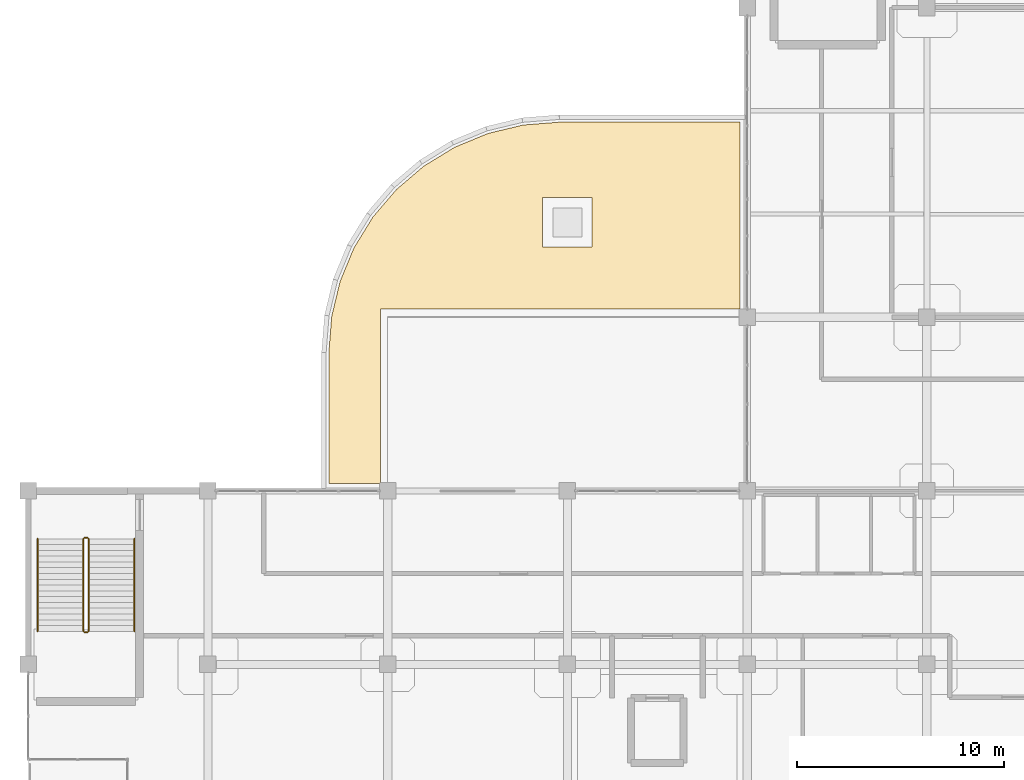
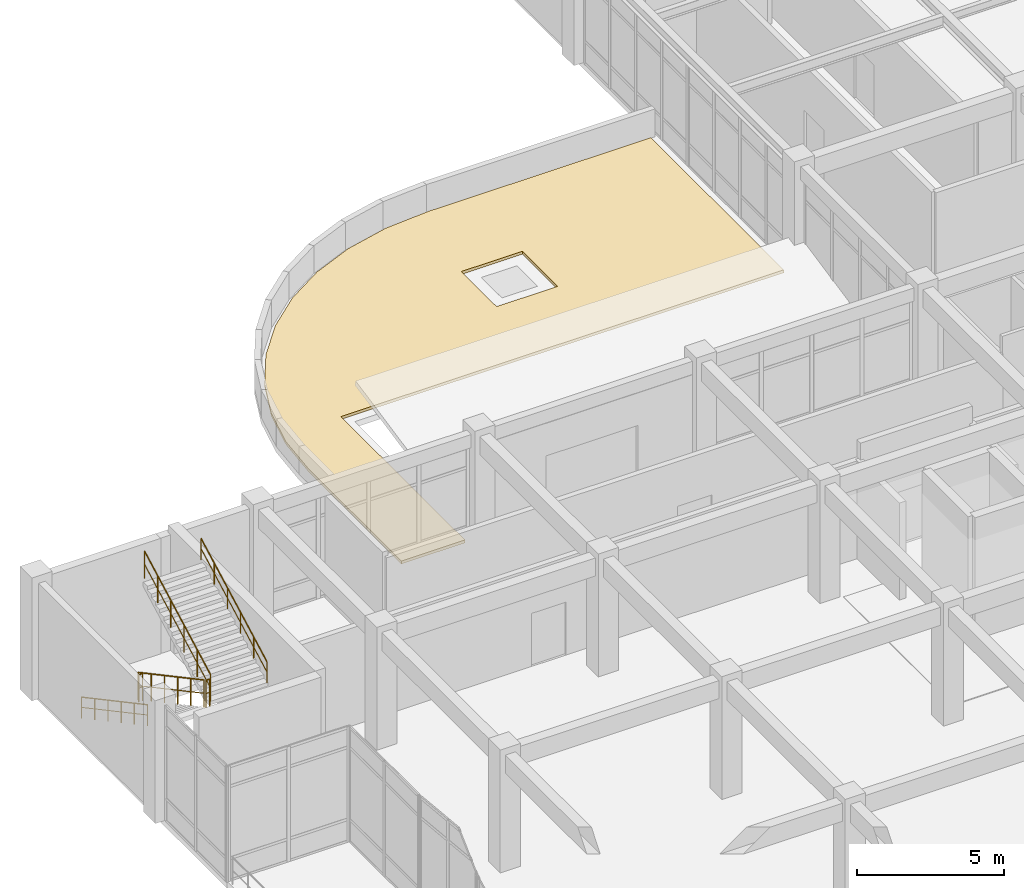
# One storey, part 114 of 124: 6 railings, 1 covering.
"""IFC4 building model written with IfcOpenShell, lengths in metres."""

from ifc_helpers import new_model, si_unit, derived_unit, direction, frame, origin, origin_2d, place, context, subcontext, project, spatial, polyline, circle, outline, extrude, material, layer, layer_set, type_object, element, save


model = new_model("IFC4")

# Units and contexts
model_context = context("Model", 3, precision=1e-05, world=origin(), true_north=direction((0.0, 1.0)))
body_context = subcontext(model_context, "Body", "Model", "MODEL_VIEW")
ifc_project = project(units=[si_unit("LENGTHUNIT", "METRE"), si_unit("AREAUNIT", "SQUARE_METRE"), si_unit("VOLUMEUNIT", "CUBIC_METRE"), si_unit("PLANEANGLEUNIT", "RADIAN"), si_unit("MASSUNIT", "GRAM", prefix="KILO"), derived_unit("THERMALTRANSMITTANCEUNIT", [(si_unit("MASSUNIT", "GRAM", prefix="KILO"), 1), (si_unit("TIMEUNIT", "SECOND"), -3), (si_unit("THERMODYNAMICTEMPERATUREUNIT", "KELVIN"), -1)])], contexts=[model_context])

# Site, building, storey
site_placement = place(None, origin())
site = spatial("IfcSite", under=ifc_project, at=site_placement, CompositionType="ELEMENT")
building_placement = place(site_placement, origin())
building = spatial("IfcBuilding", under=site, at=building_placement, Name="Qinzheling Arcade Emporium", CompositionType="ELEMENT")
storey_placement = place(building_placement, frame((0.0, 0.0, 16.5)))
storey = spatial("IfcBuildingStorey", under=building, at=storey_placement, Name="L04", CompositionType="ELEMENT", Elevation=16.5)

# Railings
ifc_material_1 = material(Name="Galvanised powder-coated tubular steel", Category="steel")
railing_type_1 = type_object("IfcRailingType", Name="Painted Steel Stairwell Guard Railing 1150", PredefinedType="GUARDRAIL", material=ifc_material_1)
railing_1_placement = place(storey_placement, frame((2.669921875, 39.679931640625, 0.14990234375)))
element("IfcRailing", 1, at=railing_1_placement, inside=storey, type_object=railing_type_1, Name="L04 ST02 stair guard 1", PredefinedType="GUARDRAIL", context=body_context, shape_type="SweptSolid", body=[
    extrude(circle(Radius=0.02392578125, at=origin_2d()), frame((0.0, 0.0, 1.1259765625), z_axis=(0.0, -0.881467115574, 0.472245406714), x_axis=(1.0, 0.0, 0.0)), (0.0, 0.0, 1.0), 5.08251953125),
    extrude(circle(Radius=0.01611328125, at=origin_2d()), frame((0.0, 0.0, 0.574951171875), z_axis=(0.0, -0.881467115574, 0.472245406714), x_axis=(1.0, 0.0, 0.0)), (0.0, 0.0, 1.0), 5.08251953125),
    extrude(circle(Radius=0.02099609375, at=origin_2d()), origin(), (0.0, 0.0, 1.0), 1.101806640625),
    extrude(circle(Radius=0.02099609375, at=origin_2d()), frame((0.0, -0.89599609375, 0.47998046875)), (0.0, 0.0, 1.0), 1.101806640625),
    extrude(circle(Radius=0.02099609375, at=origin_2d()), frame((0.0, -1.7919921875, 0.9599609375)), (0.0, 0.0, 1.0), 1.101806640625),
    extrude(circle(Radius=0.02099609375, at=origin_2d()), frame((0.0, -2.68798828125, 1.440185546875)), (0.0, 0.0, 1.0), 1.101806640625),
    extrude(circle(Radius=0.02099609375, at=origin_2d()), frame((0.0, -3.583984375, 1.920166015625)), (0.0, 0.0, 1.0), 1.101806640625),
    extrude(circle(Radius=0.02099609375, at=origin_2d()), frame((0.0, -4.47998046875, 2.400146484375)), (0.0, 0.0, 1.0), 1.101806640625),
])
railing_2_placement = place(storey_placement, frame((2.719970703125, 35.14990234375, 2.550048828125)))
element("IfcRailing", 2, at=railing_2_placement, inside=storey, type_object=railing_type_1, Name="L04 ST02 stair guard 2", PredefinedType="GUARDRAIL", context=body_context, shape_type="SweptSolid", body=[
    extrude(circle(Radius=0.02392578125, at=origin_2d()), frame((0.0, 0.0, 1.1259765625), z_axis=(1.0, 0.0, 0.0), x_axis=(0.0, 1.0, 0.0)), (0.0, 0.0, 1.0), 0.150146484375),
    extrude(circle(Radius=0.01611328125, at=origin_2d()), frame((0.0, 0.0, 0.574951171875), z_axis=(1.0, 0.0, 0.0), x_axis=(0.0, 1.0, 0.0)), (0.0, 0.0, 1.0), 0.150146484375),
    extrude(circle(Radius=0.02099609375, at=origin_2d()), origin(), (0.0, 0.0, 1.0), 1.101806640625),
    extrude(circle(Radius=0.02099609375, at=origin_2d()), frame((0.150146484375, 0.0, 0.0)), (0.0, 0.0, 1.0), 1.101806640625),
])
railing_3_placement = place(storey_placement, frame((2.919921875, 35.199951171875, 2.699951171875)))
element("IfcRailing", 3, at=railing_3_placement, inside=storey, type_object=railing_type_1, Name="L04 ST02 stair guard 3", PredefinedType="GUARDRAIL", context=body_context, shape_type="SweptSolid", body=[
    extrude(circle(Radius=0.02392578125, at=origin_2d()), frame((0.0, 0.0, 1.1259765625), z_axis=(0.0, 0.881467115574, 0.472245406714), x_axis=(-1.0, 0.0, 0.0)), (0.0, 0.0, 1.0), 5.08251953125),
    extrude(circle(Radius=0.01611328125, at=origin_2d()), frame((0.0, 0.0, 0.574951171875), z_axis=(0.0, 0.881467115574, 0.472245406714), x_axis=(-1.0, 0.0, 0.0)), (0.0, 0.0, 1.0), 5.08251953125),
    extrude(circle(Radius=0.02099609375, at=origin_2d()), origin(), (0.0, 0.0, 1.0), 1.101806640625),
    extrude(circle(Radius=0.02099609375, at=origin_2d()), frame((0.0, 0.89599609375, 0.47998046875)), (0.0, 0.0, 1.0), 1.101806640625),
    extrude(circle(Radius=0.02099609375, at=origin_2d()), frame((0.0, 1.7919921875, 0.9599609375)), (0.0, 0.0, 1.0), 1.101806640625),
    extrude(circle(Radius=0.02099609375, at=origin_2d()), frame((0.0, 2.68798828125, 1.440185546875)), (0.0, 0.0, 1.0), 1.101806640625),
    extrude(circle(Radius=0.02099609375, at=origin_2d()), frame((0.0, 3.583984375, 1.920166015625)), (0.0, 0.0, 1.0), 1.101806640625),
    extrude(circle(Radius=0.02099609375, at=origin_2d()), frame((0.0, 4.47998046875, 2.400146484375)), (0.0, 0.0, 1.0), 1.101806640625),
])
railing_4_placement = place(storey_placement, frame((2.719970703125, 39.72998046875, 0.0)))
element("IfcRailing", 4, at=railing_4_placement, inside=storey, type_object=railing_type_1, Name="L04 ST02 stair guard 4", PredefinedType="GUARDRAIL", context=body_context, shape_type="SweptSolid", body=[
    extrude(circle(Radius=0.02392578125, at=origin_2d()), frame((0.0, 0.0, 1.1259765625), z_axis=(1.0, 0.0, 0.0), x_axis=(0.0, 1.0, 0.0)), (0.0, 0.0, 1.0), 0.150146484375),
    extrude(circle(Radius=0.01611328125, at=origin_2d()), frame((0.0, 0.0, 0.574951171875), z_axis=(1.0, 0.0, 0.0), x_axis=(0.0, 1.0, 0.0)), (0.0, 0.0, 1.0), 0.150146484375),
    extrude(circle(Radius=0.02099609375, at=origin_2d()), origin(), (0.0, 0.0, 1.0), 1.101806640625),
    extrude(circle(Radius=0.02099609375, at=origin_2d()), frame((0.150146484375, 0.0, 0.0)), (0.0, 0.0, 1.0), 1.101806640625),
])
ifc_material_2 = material(Name="Brushed stainless steel 304", Category="steel")
railing_type_2 = type_object("IfcRailingType", Name="Stainless Steel Wall Handrail 900", PredefinedType="HANDRAIL", material=ifc_material_2)
railing_5_placement = place(storey_placement, frame((0.449951171875, 39.679931640625, 0.14990234375)))
element("IfcRailing", 5, at=railing_5_placement, inside=storey, type_object=railing_type_2, Name="L04 ST02 stair handrail 1", PredefinedType="HANDRAIL", context=body_context, shape_type="SweptSolid", body=[
    extrude(circle(Radius=0.02392578125, at=origin_2d()), frame((0.0, 0.0, 0.8759765625), z_axis=(0.0, -0.881467115574, 0.472245406714), x_axis=(1.0, 0.0, 0.0)), (0.0, 0.0, 1.0), 5.08251953125),
    extrude(circle(Radius=0.01611328125, at=origin_2d()), frame((0.0, 0.0, 0.449951171875), z_axis=(0.0, -0.881467115574, 0.472245406714), x_axis=(1.0, 0.0, 0.0)), (0.0, 0.0, 1.0), 5.08251953125),
    extrude(circle(Radius=0.02099609375, at=origin_2d()), origin(), (0.0, 0.0, 1.0), 0.851806640625),
    extrude(circle(Radius=0.02099609375, at=origin_2d()), frame((0.0, -0.89599609375, 0.47998046875)), (0.0, 0.0, 1.0), 0.851806640625),
    extrude(circle(Radius=0.02099609375, at=origin_2d()), frame((0.0, -1.7919921875, 0.9599609375)), (0.0, 0.0, 1.0), 0.851806640625),
    extrude(circle(Radius=0.02099609375, at=origin_2d()), frame((0.0, -2.68798828125, 1.440185546875)), (0.0, 0.0, 1.0), 0.851806640625),
    extrude(circle(Radius=0.02099609375, at=origin_2d()), frame((0.0, -3.583984375, 1.920166015625)), (0.0, 0.0, 1.0), 0.851806640625),
    extrude(circle(Radius=0.02099609375, at=origin_2d()), frame((0.0, -4.47998046875, 2.400146484375)), (0.0, 0.0, 1.0), 0.851806640625),
])
railing_6_placement = place(storey_placement, frame((5.139892578125, 35.199951171875, 2.699951171875)))
element("IfcRailing", 6, at=railing_6_placement, inside=storey, type_object=railing_type_2, Name="L04 ST02 stair handrail 2", PredefinedType="HANDRAIL", context=body_context, shape_type="SweptSolid", body=[
    extrude(circle(Radius=0.02392578125, at=origin_2d()), frame((0.0, 0.0, 0.8759765625), z_axis=(0.0, 0.881467115574, 0.472245406714), x_axis=(-1.0, 0.0, 0.0)), (0.0, 0.0, 1.0), 5.08251953125),
    extrude(circle(Radius=0.01611328125, at=origin_2d()), frame((0.0, 0.0, 0.449951171875), z_axis=(0.0, 0.881467115574, 0.472245406714), x_axis=(-1.0, 0.0, 0.0)), (0.0, 0.0, 1.0), 5.08251953125),
    extrude(circle(Radius=0.02099609375, at=origin_2d()), origin(), (0.0, 0.0, 1.0), 0.851806640625),
    extrude(circle(Radius=0.02099609375, at=origin_2d()), frame((0.0, 0.89599609375, 0.47998046875)), (0.0, 0.0, 1.0), 0.851806640625),
    extrude(circle(Radius=0.02099609375, at=origin_2d()), frame((0.0, 1.7919921875, 0.9599609375)), (0.0, 0.0, 1.0), 0.851806640625),
    extrude(circle(Radius=0.02099609375, at=origin_2d()), frame((0.0, 2.68798828125, 1.440185546875)), (0.0, 0.0, 1.0), 0.851806640625),
    extrude(circle(Radius=0.02099609375, at=origin_2d()), frame((0.0, 3.583984375, 1.920166015625)), (0.0, 0.0, 1.0), 0.851806640625),
    extrude(circle(Radius=0.02099609375, at=origin_2d()), frame((0.0, 4.47998046875, 2.400146484375)), (0.0, 0.0, 1.0), 0.851806640625),
])

# Covering
ifc_material_3 = material(Name="TPO waterproof membrane over rigid polyisocyanurate insulation")
ifc_layer = layer(ifc_material_3, 0.1201171875, Name="TPO waterproof membrane over rigid polyisocyanurate insulation")
ifc_layer_set = layer_set([ifc_layer], Name="TPO waterproof membrane over rigid polyisocyanurate insulation")
covering_type = type_object("IfcCoveringType", Name="TPO Waterproof Insulated Roof Membrane 120", PredefinedType="ROOFING", material=ifc_layer_set)
covering_placement = place(storey_placement, origin())
element("IfcCovering", 7, at=covering_placement, inside=storey, type_object=covering_type, Name="Roof Membrane L04 1", PredefinedType="ROOFING", context=body_context, shape_type="SweptSolid", body=[
    extrude(outline(polyline([(14.550048828125, 42.35009765625), (14.550048828125, 48.68603515625), (14.68896484375, 50.444091796875), (15.096923828125, 52.14599609375), (15.76611328125, 53.761962890625), (16.679931640625, 55.25390625), (17.81591796875, 56.583984375), (19.14599609375, 57.719970703125), (20.637939453125, 58.634033203125), (22.25390625, 59.302978515625), (23.9560546875, 59.7109375), (25.714111328125, 59.85009765625), (34.449951171875, 59.85009765625), (34.449951171875, 50.800048828125), (17.050048828125, 50.800048828125), (17.050048828125, 42.35009765625), (14.550048828125, 42.35009765625)]), holes=[polyline([(27.300048828125, 56.199951171875), (24.89990234375, 56.199951171875), (24.89990234375, 53.800048828125), (27.300048828125, 53.800048828125), (27.300048828125, 56.199951171875)])]), origin(), (0.0, 0.0, 1.0), 0.1201171875),
])

save(model, "model.ifc")
